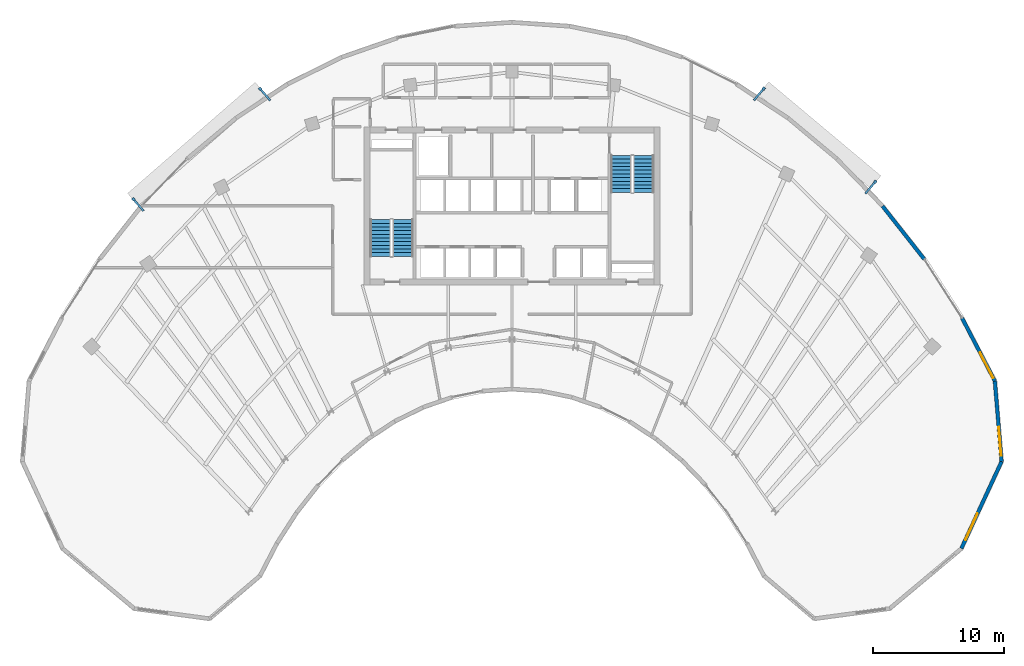
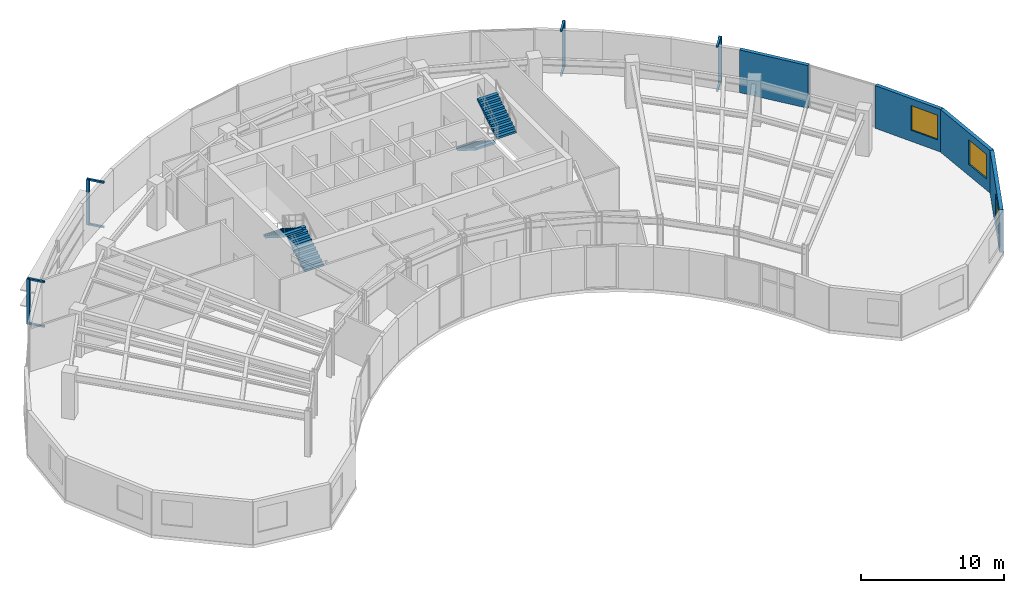
# One storey, part 11 of 13: 12 discrete accessories, 4 stair flights, 4 walls, 3 windows, 3 openings, 2 elements without a shape of their own.
"""IFC4 building model written with IfcOpenShell, lengths in metres."""

from ifc_helpers import new_model, si_unit, direction, frame, frame_2d, origin, origin_2d, place, context, subcontext, project, spatial, polyline, rectangle, outline, extrude, source, transform, mapped, material, layer, layer_set, type_object, type_shapes, element, fill, aggregate, save


model = new_model("IFC4")

# Units and contexts
model_context = context("Model", 3, precision=1e-05, world=origin(), true_north=direction((0.0, 1.0)))
body_context = subcontext(model_context, "Body", "Model", "MODEL_VIEW")
ifc_project = project(units=[si_unit("LENGTHUNIT", "METRE"), si_unit("AREAUNIT", "SQUARE_METRE"), si_unit("VOLUMEUNIT", "CUBIC_METRE"), si_unit("PLANEANGLEUNIT", "RADIAN"), si_unit("MASSUNIT", "GRAM", prefix="KILO")], contexts=[model_context])

# Site, building, storey
site_placement = place(None, origin())
site = spatial("IfcSite", under=ifc_project, at=site_placement, CompositionType="ELEMENT")
building_placement = place(site_placement, origin())
building = spatial("IfcBuilding", under=site, at=building_placement, Name="Breltana Convention Tower", CompositionType="ELEMENT")
storey_placement = place(building_placement, frame((0.0, 0.0, 204.0)))
storey = spatial("IfcBuildingStorey", under=building, at=storey_placement, Name="L49", CompositionType="ELEMENT", Elevation=204.0)

# Wall, opening, window
ifc_material_1 = material(Name="Limestone Buff Insulated Wall", Category="masonry")
ifc_layer = layer(ifc_material_1, 0.280029296875, Name="Limestone Buff Insulated Wall")
ifc_layer_set = layer_set([ifc_layer], Name="Limestone Buff Insulated Wall")
wall_type = type_object("IfcWallType", Name="WL-EXT-NOSE-280", PredefinedType="SOLIDWALL", material=ifc_layer_set)
shared_shape_1 = source(origin(), body_context, "Body", "SweptSolid", [
    extrude(rectangle(XDim=6.145751953125, YDim=0.280029296875, at=frame_2d((3.07275390625, 0.0))), origin(), (0.0, 0.0, 1.0), 3.639892578125),
])
wall_1_placement = place(storey_placement, frame((84.756103515625, 52.87353515625, 0.0), z_axis=(0.0, 0.0, 1.0), x_axis=(0.083301904456, -0.996524356307, 0.0)))
wall_1 = element("IfcWall", 1, at=wall_1_placement, inside=storey, type_object=wall_type, Name="L49 curved limestone nose wall E1", PredefinedType="SOLIDWALL", context=body_context, shape_type="MappedRepresentation", body=[
    mapped(shared_shape_1, transform((0.0, 0.0, 0.0), scale=1.0)),
])
opening_1_placement = place(wall_1_placement, frame((3.50927734375, 0.0, 0.949951171875)))
opening_1 = element("IfcOpeningElement", 2, at=opening_1_placement, cuts=wall_1, Name="Opening W-03", PredefinedType="OPENING", context=body_context, shape_type="SweptSolid", body=[
    extrude(rectangle(XDim=2.199951171875, YDim=2.10009765625, at=frame_2d((1.10009765625, 1.050048828125))), frame((0.0, 0.14990234375, 0.0), z_axis=(0.0, -1.0, 0.0), x_axis=(1.0, 0.0, 0.0)), (0.0, 0.0, 1.0), 0.300048828125),
])
ifc_material_2 = material(Name="Glass Low-E Insulated Window", Category="glass")
window_type = type_object("IfcWindowType", Name="WN-NOSE-2200X2100", PartitioningType="TRIPLE_PANEL_VERTICAL", PredefinedType="WINDOW", material=ifc_material_2)
shared_shape_2 = source(origin(), body_context, "Body", "SweptSolid", [
    extrude(rectangle(XDim=2.199951171875, YDim=2.10009765625, at=frame_2d((1.10009765625, 1.050048828125))), frame((0.0, 0.030029296875, 0.0), z_axis=(0.0, -1.0, 0.0), x_axis=(1.0, 0.0, 0.0)), (0.0, 0.0, 1.0), 0.06005859375),
])
type_shapes(window_type, [shared_shape_2])
window_1_placement = place(opening_1_placement, origin())
window_1 = element("IfcWindow", 3, at=window_1_placement, inside=storey, type_object=window_type, Name="L49 nose window E1", OverallHeight=2.10009765625, OverallWidth=2.199951171875, PartitioningType="TRIPLE_PANEL_VERTICAL", PredefinedType="WINDOW", context=body_context, shape_type="MappedRepresentation", body=[
    mapped(shared_shape_2, transform((0.0, 0.0, 0.0), scale=1.0)),
])
fill(opening_1, window_1)

shared_shape_3 = source(origin(), body_context, "Body", "SweptSolid", [
    extrude(rectangle(XDim=7.29150390625, YDim=0.280029296875, at=frame_2d((3.645751953125, 0.0))), origin(), (0.0, 0.0, 1.0), 3.639892578125),
])
wall_2_placement = place(storey_placement, frame((85.26806640625, 46.7490234375, 0.0), z_axis=(0.0, 0.0, 1.0), x_axis=(-0.419642001049, -0.907689699708, 0.0)))
wall_2 = element("IfcWall", 4, at=wall_2_placement, inside=storey, type_object=wall_type, Name="L49 curved limestone nose wall E2", PredefinedType="SOLIDWALL", context=body_context, shape_type="MappedRepresentation", body=[
    mapped(shared_shape_3, transform((0.0, 0.0, 0.0), scale=1.0)),
])
opening_2_placement = place(wall_2_placement, frame((4.36865234375, 0.0, 0.949951171875)))
opening_2 = element("IfcOpeningElement", 5, at=opening_2_placement, cuts=wall_2, Name="Opening W-03", PredefinedType="OPENING", context=body_context, shape_type="SweptSolid", body=[
    extrude(rectangle(XDim=2.199951171875, YDim=2.10009765625, at=frame_2d((1.10009765625, 1.050048828125))), frame((0.0, 0.14990234375, 0.0), z_axis=(0.0, -1.0, 0.0), x_axis=(1.0, 0.0, 0.0)), (0.0, 0.0, 1.0), 0.300048828125),
])
window_2_placement = place(opening_2_placement, origin())
window_2 = element("IfcWindow", 6, at=window_2_placement, inside=storey, type_object=window_type, Name="L49 nose window E2", OverallHeight=2.10009765625, OverallWidth=2.199951171875, PartitioningType="TRIPLE_PANEL_VERTICAL", PredefinedType="WINDOW", context=body_context, shape_type="MappedRepresentation", body=[
    mapped(shared_shape_2, transform((0.0, 0.0, 0.0), scale=1.0)),
])
fill(opening_2, window_2)

shared_shape_4 = source(origin(), body_context, "Body", "SweptSolid", [
    extrude(rectangle(XDim=5.41552734375, YDim=0.280029296875, at=frame_2d((2.707763671875, 0.0))), origin(), (0.0, 0.0, 1.0), 3.639892578125),
])
wall_3_placement = place(storey_placement, frame((82.25537109375, 57.677001953125, 0.0), z_axis=(0.0, 0.0, 1.0), x_axis=(0.46177852435, -0.886995261796, 0.0)))
wall_3 = element("IfcWall", 7, at=wall_3_placement, inside=storey, type_object=wall_type, Name="L49 curved limestone nose wall E33", PredefinedType="SOLIDWALL", context=body_context, shape_type="MappedRepresentation", body=[
    mapped(shared_shape_4, transform((0.0, 0.0, 0.0), scale=1.0)),
])
opening_3_placement = place(wall_3_placement, frame((2.961669921875, 0.0, 0.949951171875)))
opening_3 = element("IfcOpeningElement", 8, at=opening_3_placement, cuts=wall_3, Name="Opening W-03", PredefinedType="OPENING", context=body_context, shape_type="SweptSolid", body=[
    extrude(rectangle(XDim=2.199951171875, YDim=2.10009765625, at=frame_2d((1.10009765625, 1.050048828125))), frame((0.0, 0.14990234375, 0.0), z_axis=(0.0, -1.0, 0.0), x_axis=(1.0, 0.0, 0.0)), (0.0, 0.0, 1.0), 0.300048828125),
])
window_3_placement = place(opening_3_placement, origin())
window_3 = element("IfcWindow", 9, at=window_3_placement, inside=storey, type_object=window_type, Name="L49 nose window E33", OverallHeight=2.10009765625, OverallWidth=2.199951171875, PartitioningType="TRIPLE_PANEL_VERTICAL", PredefinedType="WINDOW", context=body_context, shape_type="MappedRepresentation", body=[
    mapped(shared_shape_2, transform((0.0, 0.0, 0.0), scale=1.0)),
])
fill(opening_3, window_3)

# Wall
shared_shape_5 = source(origin(), body_context, "Body", "SweptSolid", [
    extrude(rectangle(XDim=5.153076171875, YDim=0.280029296875, at=frame_2d((2.57666015625, 0.0))), origin(), (0.0, 0.0, 1.0), 3.639892578125),
])
wall_4_placement = place(storey_placement, frame((76.205322265625, 66.190185546875, 0.0), z_axis=(0.0, 0.0, 1.0), x_axis=(0.618179283891, -0.786037132054, 0.0)))
element("IfcWall", 10, at=wall_4_placement, inside=storey, type_object=wall_type, Name="L49 curved limestone nose wall E32", PredefinedType="SOLIDWALL", context=body_context, shape_type="MappedRepresentation", body=[
    mapped(shared_shape_5, transform((0.0, 0.0, 0.0), scale=1.0)),
])

# Stair, stair flights
ifc_material_3 = material(Name="Concrete C40/50", Category="concrete")
stair_type = type_object("IfcStairType", Name="ST-DOG-1560-R177", PredefinedType="HALF_TURN_STAIR", material=ifc_material_3)
stair_1_placement = place(storey_placement, origin())
stair_1 = element("IfcStair", 11, at=stair_1_placement, inside=storey, type_object=stair_type, Name="L49 Protected Core Exit Stair ST-1", PredefinedType="HALF_TURN_STAIR")
stair_flight_type = type_object("IfcStairFlightType", Name="STF-DOG-1560-N11-R177", PredefinedType="STRAIGHT", material=ifc_material_3)
stair_flight_1_placement = place(storey_placement, frame((39.68994140625, 62.360107421875, 0.0), z_axis=(0.0, 0.0, 1.0), x_axis=(0.0, 1.0, 0.0)))
stair_flight_1 = element("IfcStairFlight", 12, at=stair_flight_1_placement, type_object=stair_flight_type, Name="ST-1 flight 1", NumberOfRisers=11, NumberOfTreads=10, PredefinedType="STRAIGHT", RiserHeight=0.177272727, TreadLength=0.28, context=body_context, shape_type="SweptSolid", body=[
    extrude(outline(polyline([(0.0, 0.0), (0.0, 0.17724609375), (0.280029296875, 0.17724609375), (0.280029296875, 0.3544921875), (0.56005859375, 0.3544921875), (0.56005859375, 0.53173828125), (0.840087890625, 0.53173828125), (0.840087890625, 0.708984375), (1.1201171875, 0.708984375), (1.1201171875, 0.886474609375), (1.39990234375, 0.886474609375), (1.39990234375, 1.063720703125), (1.679931640625, 1.063720703125), (1.679931640625, 1.240966796875), (1.9599609375, 1.240966796875), (1.9599609375, 1.418212890625), (2.239990234375, 1.418212890625), (2.239990234375, 1.595458984375), (2.52001953125, 1.595458984375), (2.52001953125, 1.772705078125), (2.800048828125, 1.772705078125), (2.800048828125, 1.949951171875), (2.800048828125, 1.59521484375), (0.2802734375, 0.0), (0.0, 0.0)])), frame((0.0, 0.780029296875, 0.0), z_axis=(0.0, -1.0, 0.0), x_axis=(1.0, 0.0, 0.0)), (0.0, 0.0, 1.0), 1.56005859375),
])
stair_flight_2_placement = place(storey_placement, frame((37.97998046875, 65.159912109375, 1.949951171875), z_axis=(0.0, 0.0, 1.0), x_axis=(0.0, -1.0, 0.0)))
stair_flight_2 = element("IfcStairFlight", 13, at=stair_flight_2_placement, type_object=stair_flight_type, Name="ST-1 flight 2", NumberOfRisers=11, NumberOfTreads=10, PredefinedType="STRAIGHT", RiserHeight=0.177272727, TreadLength=0.28, context=body_context, shape_type="SweptSolid", body=[
    extrude(outline(polyline([(0.0, 0.0), (0.0, 0.17724609375), (0.280029296875, 0.17724609375), (0.280029296875, 0.3544921875), (0.56005859375, 0.3544921875), (0.56005859375, 0.53173828125), (0.840087890625, 0.53173828125), (0.840087890625, 0.708984375), (1.1201171875, 0.708984375), (1.1201171875, 0.886474609375), (1.39990234375, 0.886474609375), (1.39990234375, 1.063720703125), (1.679931640625, 1.063720703125), (1.679931640625, 1.240966796875), (1.9599609375, 1.240966796875), (1.9599609375, 1.418212890625), (2.239990234375, 1.418212890625), (2.239990234375, 1.595458984375), (2.52001953125, 1.595458984375), (2.52001953125, 1.772705078125), (2.800048828125, 1.772705078125), (2.800048828125, 1.949951171875), (2.800048828125, 1.59521484375), (0.2802734375, 0.0), (0.0, 0.0)])), frame((0.0, 0.780029296875, 0.0), z_axis=(0.0, -1.0, 0.0), x_axis=(1.0, 0.0, 0.0)), (0.0, 0.0, 1.0), 1.56005859375),
])
aggregate(stair_1, [stair_flight_1, stair_flight_2])

stair_2_placement = place(storey_placement, origin())
stair_2 = element("IfcStair", 14, at=stair_2_placement, inside=storey, type_object=stair_type, Name="L49 Protected Core Exit Stair ST-2", PredefinedType="HALF_TURN_STAIR")
stair_flight_3_placement = place(storey_placement, frame((56.31005859375, 70.0400390625, 0.0), z_axis=(0.0, 0.0, 1.0), x_axis=(0.0, -1.0, 0.0)))
stair_flight_3 = element("IfcStairFlight", 15, at=stair_flight_3_placement, type_object=stair_flight_type, Name="ST-2 flight 1", NumberOfRisers=11, NumberOfTreads=10, PredefinedType="STRAIGHT", RiserHeight=0.177272727, TreadLength=0.28, context=body_context, shape_type="SweptSolid", body=[
    extrude(outline(polyline([(0.0, 0.0), (0.0, 0.17724609375), (0.280029296875, 0.17724609375), (0.280029296875, 0.3544921875), (0.56005859375, 0.3544921875), (0.56005859375, 0.53173828125), (0.840087890625, 0.53173828125), (0.840087890625, 0.708984375), (1.1201171875, 0.708984375), (1.1201171875, 0.886474609375), (1.39990234375, 0.886474609375), (1.39990234375, 1.063720703125), (1.679931640625, 1.063720703125), (1.679931640625, 1.240966796875), (1.9599609375, 1.240966796875), (1.9599609375, 1.418212890625), (2.239990234375, 1.418212890625), (2.239990234375, 1.595458984375), (2.52001953125, 1.595458984375), (2.52001953125, 1.772705078125), (2.800048828125, 1.772705078125), (2.800048828125, 1.949951171875), (2.800048828125, 1.59521484375), (0.2802734375, 0.0), (0.0, 0.0)])), frame((0.0, 0.780029296875, 0.0), z_axis=(0.0, -1.0, 0.0), x_axis=(1.0, 0.0, 0.0)), (0.0, 0.0, 1.0), 1.56005859375),
])
stair_flight_4_placement = place(storey_placement, frame((58.02001953125, 67.239990234375, 1.949951171875), z_axis=(0.0, 0.0, 1.0), x_axis=(0.0, 1.0, 0.0)))
stair_flight_4 = element("IfcStairFlight", 16, at=stair_flight_4_placement, type_object=stair_flight_type, Name="ST-2 flight 2", NumberOfRisers=11, NumberOfTreads=10, PredefinedType="STRAIGHT", RiserHeight=0.177272727, TreadLength=0.28, context=body_context, shape_type="SweptSolid", body=[
    extrude(outline(polyline([(0.0, 0.0), (0.0, 0.17724609375), (0.280029296875, 0.17724609375), (0.280029296875, 0.3544921875), (0.56005859375, 0.3544921875), (0.56005859375, 0.53173828125), (0.840087890625, 0.53173828125), (0.840087890625, 0.708984375), (1.1201171875, 0.708984375), (1.1201171875, 0.886474609375), (1.39990234375, 0.886474609375), (1.39990234375, 1.063720703125), (1.679931640625, 1.063720703125), (1.679931640625, 1.240966796875), (1.9599609375, 1.240966796875), (1.9599609375, 1.418212890625), (2.239990234375, 1.418212890625), (2.239990234375, 1.595458984375), (2.52001953125, 1.595458984375), (2.52001953125, 1.772705078125), (2.800048828125, 1.772705078125), (2.800048828125, 1.949951171875), (2.800048828125, 1.59521484375), (0.2802734375, 0.0), (0.0, 0.0)])), frame((0.0, 0.780029296875, 0.0), z_axis=(0.0, -1.0, 0.0), x_axis=(1.0, 0.0, 0.0)), (0.0, 0.0, 1.0), 1.56005859375),
])
aggregate(stair_2, [stair_flight_3, stair_flight_4])

# Discrete accessories
ifc_material_4 = material(Name="Steel S355", Category="steel")
discrete_accessory_type_1 = type_object("IfcDiscreteAccessoryType", Name="ACC-DSF-BRACKET-150", PredefinedType="BRACKET", material=ifc_material_4)
shared_shape_6 = source(origin(), body_context, "Body", "SweptSolid", [
    extrude(rectangle(XDim=1.239990234375, YDim=0.14990234375, at=origin_2d()), origin(), (0.0, 0.0, 1.0), 0.139892578125),
])
type_shapes(discrete_accessory_type_1, [shared_shape_6])
for number, where, z_axis, x_axis, name in (
    (17, (19.545166015625, 66.295166015625, -0.16015625), (0.0, 0.0, 1.0), (-0.65645174674, 0.754368016423, 0.0), "L49 double-skin slab stand-off bracket 1.1B"),
    (18, (19.545166015625, 66.295166015625, 3.64013671875), (0.0, 0.0, 1.0), (-0.65645174674, 0.754368016423, 0.0), "L49 double-skin slab stand-off bracket 1.1T"),
    (19, (29.1953125, 74.69287109375, -0.16015625), (0.0, 0.0, 1.0), (-0.65645174674, 0.754368016423, 0.0), "L49 double-skin slab stand-off bracket 1.2B"),
    (20, (29.1953125, 74.69287109375, 3.64013671875), (0.0, 0.0, 1.0), (-0.65645174674, 0.754368016423, 0.0), "L49 double-skin slab stand-off bracket 1.2T"),
    (21, (66.8125, 74.715087890625, -0.16015625), (0.0, 0.0, 1.0), (0.641983760468, 0.766718234618, 0.0), "L49 double-skin slab stand-off bracket 2.1B"),
    (22, (66.8125, 74.715087890625, 3.64013671875), (0.0, 0.0, 1.0), (0.641983760468, 0.766718234618, 0.0), "L49 double-skin slab stand-off bracket 2.1T"),
    (23, (75.29150390625, 67.615478515625, -0.16015625), (0.0, 0.0, 1.0), (0.641983760468, 0.766718234618, 0.0), "L49 double-skin slab stand-off bracket 2.2B"),
    (24, (75.29150390625, 67.615478515625, 3.64013671875), (0.0, 0.0, 1.0), (0.641983760468, 0.766718234618, 0.0), "L49 double-skin slab stand-off bracket 2.2T"),
):
    element("IfcDiscreteAccessory", number, at=place(storey_placement, frame(where, z_axis=z_axis, x_axis=x_axis)), inside=storey, type_object=discrete_accessory_type_1, Name=name, PredefinedType="BRACKET", context=body_context, shape_type="MappedRepresentation", body=[
        mapped(shared_shape_6, transform((0.0, 0.0, 0.0), scale=1.0)),
    ])
discrete_accessory_type_2 = type_object("IfcDiscreteAccessoryType", Name="ACC-DSF-CARRIER-150", PredefinedType="BRACKET", material=ifc_material_4)
shared_shape_7 = source(origin(), body_context, "Body", "SweptSolid", [
    extrude(rectangle(XDim=0.219970703125, YDim=0.219970703125, at=origin_2d()), origin(), (0.0, 0.0, 1.0), 3.860107421875),
])
for number, where, z_axis, x_axis, name in (
    (25, (19.177490234375, 66.7177734375, -0.1201171875), (0.0, 0.0, 1.0), (-0.65645174674, 0.754368016423, 0.0), "L49 double-skin outer vertical carrier 1.1"),
    (26, (28.82763671875, 75.115478515625, -0.1201171875), (0.0, 0.0, 1.0), (-0.65645174674, 0.754368016423, 0.0), "L49 double-skin outer vertical carrier 1.2"),
    (27, (67.172119140625, 75.144287109375, -0.1201171875), (0.0, 0.0, 1.0), (0.641983760468, 0.766718234618, 0.0), "L49 double-skin outer vertical carrier 2.1"),
    (28, (75.65087890625, 68.044921875, -0.1201171875), (0.0, 0.0, 1.0), (0.641983760468, 0.766718234618, 0.0), "L49 double-skin outer vertical carrier 2.2"),
):
    element("IfcDiscreteAccessory", number, at=place(storey_placement, frame(where, z_axis=z_axis, x_axis=x_axis)), inside=storey, type_object=discrete_accessory_type_2, Name=name, PredefinedType="BRACKET", context=body_context, shape_type="MappedRepresentation", body=[
        mapped(shared_shape_7, transform((0.0, 0.0, 0.0), scale=1.0)),
    ])

save(model, "model.ifc")
